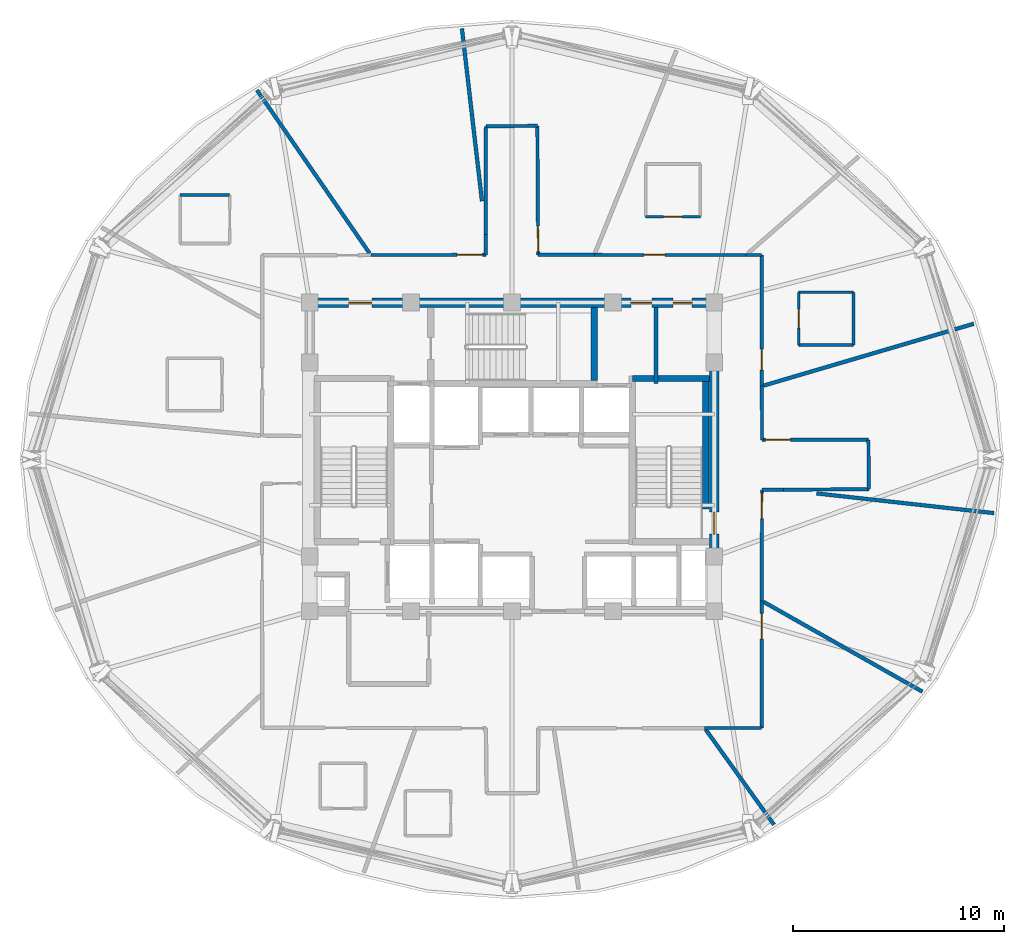
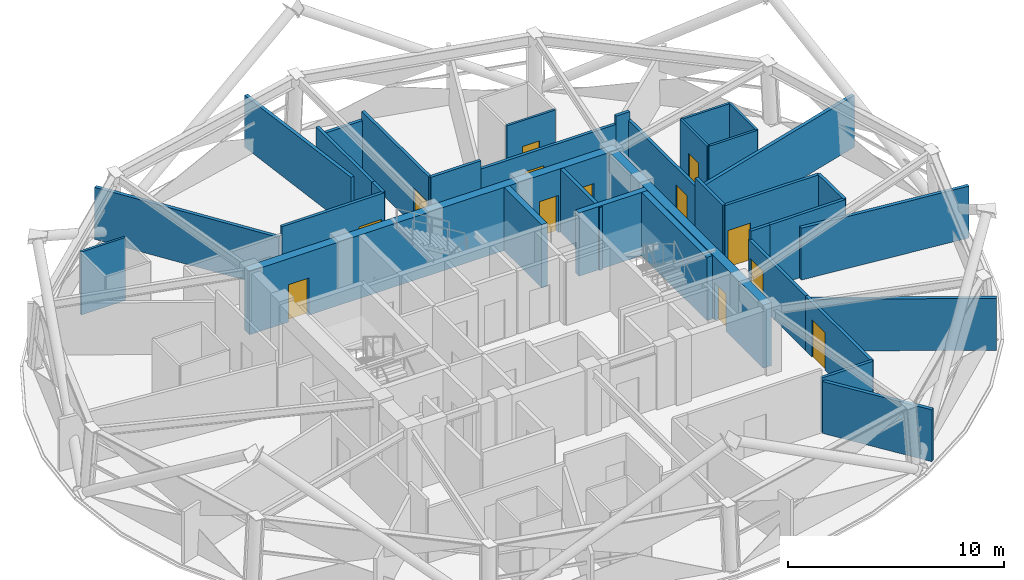
# One storey, part 7 of 12: 35 walls, 13 doors, 13 openings.
"""IFC4 building model written with IfcOpenShell, lengths in metres."""

from ifc_helpers import new_model, si_unit, direction, frame, frame_2d, origin, place, context, subcontext, project, spatial, rectangle, extrude, material, layer, layer_set, type_object, element, fill, save


model = new_model("IFC4")

# Units and contexts
model_context = context("Model", 3, precision=1e-05, world=origin(), true_north=direction((0.0, 1.0)))
body_context = subcontext(model_context, "Body", "Model", "MODEL_VIEW")
ifc_project = project(units=[si_unit("LENGTHUNIT", "METRE"), si_unit("AREAUNIT", "SQUARE_METRE"), si_unit("VOLUMEUNIT", "CUBIC_METRE"), si_unit("PLANEANGLEUNIT", "RADIAN"), si_unit("MASSUNIT", "GRAM", prefix="KILO")], contexts=[model_context])

# Site, building, storey
site_placement = place(None, origin())
site = spatial("IfcSite", under=ifc_project, at=site_placement, CompositionType="ELEMENT")
building_placement = place(site_placement, origin())
building = spatial("IfcBuilding", under=site, at=building_placement, Name="Vantalir Tower", CompositionType="ELEMENT")
storey_placement = place(building_placement, frame((0.0, 0.0, 197.39990234375)))
storey = spatial("IfcBuildingStorey", under=building, at=storey_placement, Name="L49", CompositionType="ELEMENT", Elevation=197.39990234375)

# Walls
ifc_material_1 = material(Name="Moisture-resistant en-suite partition", Category="gypsum")
ifc_layer_1 = layer(ifc_material_1, 0.125)
ifc_layer_set_1 = layer_set([ifc_layer_1], Name="Moisture-resistant en-suite partition")
wall_type_1 = type_object("IfcWallType", Name="WL-BATH-125", PredefinedType="PARTITIONING", material=ifc_layer_set_1)
for number, where, z_axis, x_axis, name in (
    (1, (45.10498046875, 30.43994140625, 0.0), (0.0, 0.0, 1.0), (1.0, 0.0, 0.0), "L49 En-suite 01 South Wall"),
    (2, (45.10498046875, 32.93994140625, 0.0), (0.0, 0.0, 1.0), (1.0, 0.0, 0.0), "L49 En-suite 01 North Wall"),
):
    element("IfcWall", number, at=place(storey_placement, frame(where, z_axis=z_axis, x_axis=x_axis)), inside=storey, type_object=wall_type_1, Name=name, PredefinedType="PARTITIONING", context=body_context, shape_type="SweptSolid", body=[
        extrude(rectangle(XDim=2.60009765625, YDim=0.125, at=frame_2d((1.300048828125, 0.0))), origin(), (0.0, 0.0, 1.0), 3.550048828125),
    ])

# Wall, opening, door
wall_1_placement = place(storey_placement, frame((45.10498046875, 30.43994140625, 0.0), z_axis=(0.0, 0.0, 1.0), x_axis=(0.0, 1.0, 0.0)))
wall_1 = element("IfcWall", 3, at=wall_1_placement, inside=storey, type_object=wall_type_1, Name="L49 En-suite 01 West Wall", PredefinedType="PARTITIONING", context=body_context, shape_type="SweptSolid", body=[
    extrude(rectangle(XDim=2.5, YDim=0.125, at=frame_2d((1.25, 0.0))), origin(), (0.0, 0.0, 1.0), 3.550048828125),
])
opening_1_placement = place(wall_1_placement, frame((0.800048828125, 0.0, 0.0)))
opening_1 = element("IfcOpeningElement", 4, at=opening_1_placement, cuts=wall_1, Name="Opening D-WC", PredefinedType="OPENING", context=body_context, shape_type="SweptSolid", body=[
    extrude(rectangle(XDim=0.89990234375, YDim=2.10009765625, at=frame_2d((0.449951171875, 1.050048828125))), frame((0.0, 0.072509765625, 0.0), z_axis=(0.0, -1.0, 0.0), x_axis=(1.0, 0.0, 0.0)), (0.0, 0.0, 1.0), 0.14501953125),
])
ifc_material_2 = material(Name="Moisture-resistant hardwood door", Category="wood")
door_type_1 = type_object("IfcDoorType", Name="DR-ENSUITE-900", OperationType="NOTDEFINED", PredefinedType="DOOR", material=ifc_material_2)
door_1_placement = place(opening_1_placement, frame((0.89990234375, 0.0, 0.0), z_axis=(0.0, 0.0, 1.0), x_axis=(-1.0, 0.0, 0.0)))
door_1 = element("IfcDoor", 5, at=door_1_placement, inside=storey, type_object=door_type_1, Name="L49 En-suite 01 Door", OperationType="SINGLE_SWING_LEFT", OverallHeight=2.10009765625, OverallWidth=0.89990234375, PredefinedType="DOOR", context=body_context, shape_type="SweptSolid", body=[
    extrude(rectangle(XDim=0.89990234375, YDim=2.10009765625, at=frame_2d((0.449951171875, 1.050048828125))), frame((0.0, 0.02490234375, 0.0), z_axis=(0.0, -1.0, 0.0), x_axis=(1.0, 0.0, 0.0)), (0.0, 0.0, 1.0), 0.050048828125),
])
fill(opening_1, door_1)

# Wall
wall_2_placement = place(storey_placement, frame((47.705078125, 30.43994140625, 0.0), z_axis=(0.0, 0.0, 1.0), x_axis=(0.0, 1.0, 0.0)))
element("IfcWall", 6, at=wall_2_placement, inside=storey, type_object=wall_type_1, Name="L49 En-suite 01 East Wall", PredefinedType="PARTITIONING", context=body_context, shape_type="SweptSolid", body=[
    extrude(rectangle(XDim=2.5, YDim=0.125, at=frame_2d((1.25, 0.0))), origin(), (0.0, 0.0, 1.0), 3.550048828125),
])

# Wall, opening, door
wall_3_placement = place(storey_placement, frame((37.842041015625, 36.528076171875, 0.0), z_axis=(0.0, 0.0, 1.0), x_axis=(1.0, 0.0, 0.0)))
wall_3 = element("IfcWall", 7, at=wall_3_placement, inside=storey, type_object=wall_type_1, Name="L49 En-suite 02 South Wall", PredefinedType="PARTITIONING", context=body_context, shape_type="SweptSolid", body=[
    extrude(rectangle(XDim=2.599853515625, YDim=0.125, at=frame_2d((1.2998046875, 0.0))), origin(), (0.0, 0.0, 1.0), 3.550048828125),
])
opening_2_placement = place(wall_3_placement, frame((0.85009765625, 0.0, 0.0)))
opening_2 = element("IfcOpeningElement", 8, at=opening_2_placement, cuts=wall_3, Name="Opening D-WC", PredefinedType="OPENING", context=body_context, shape_type="SweptSolid", body=[
    extrude(rectangle(XDim=0.89990234375, YDim=2.10009765625, at=frame_2d((0.449951171875, 1.050048828125))), frame((0.0, 0.072509765625, 0.0), z_axis=(0.0, -1.0, 0.0), x_axis=(1.0, 0.0, 0.0)), (0.0, 0.0, 1.0), 0.14501953125),
])
door_2_placement = place(opening_2_placement, origin())
door_2 = element("IfcDoor", 9, at=door_2_placement, inside=storey, type_object=door_type_1, Name="L49 En-suite 02 Door", OperationType="SINGLE_SWING_RIGHT", OverallHeight=2.10009765625, OverallWidth=0.89990234375, PredefinedType="DOOR", context=body_context, shape_type="SweptSolid", body=[
    extrude(rectangle(XDim=0.89990234375, YDim=2.10009765625, at=frame_2d((0.449951171875, 1.050048828125))), frame((0.0, 0.02490234375, 0.0), z_axis=(0.0, -1.0, 0.0), x_axis=(1.0, 0.0, 0.0)), (0.0, 0.0, 1.0), 0.050048828125),
])
fill(opening_2, door_2)

# Wall
wall_4_placement = place(storey_placement, frame((15.7470703125, 37.55810546875, 0.0), z_axis=(0.0, 0.0, 1.0), x_axis=(1.0, 0.0, 0.0)))
element("IfcWall", 10, at=wall_4_placement, inside=storey, type_object=wall_type_1, Name="L49 En-suite 05 North Wall", PredefinedType="PARTITIONING", context=body_context, shape_type="SweptSolid", body=[
    extrude(rectangle(XDim=2.349853515625, YDim=0.125, at=frame_2d((1.1748046875, 0.0))), origin(), (0.0, 0.0, 1.0), 3.550048828125),
])

# Wall, openings, doors
ifc_material_3 = material(Name="Concrete C50/60", Category="concrete")
ifc_layer_2 = layer(ifc_material_3, 0.449951171875)
ifc_layer_set_2 = layer_set([ifc_layer_2], Name="Concrete C50/60")
wall_type_2 = type_object("IfcWallType", Name="WL-CORE-450", PredefinedType="SHEAR", material=ifc_layer_set_2)
wall_5_placement = place(storey_placement, frame((21.675048828125, 32.449951171875, 0.0), z_axis=(0.0, 0.0, 1.0), x_axis=(1.0, 0.0, 0.0)))
wall_5 = element("IfcWall", 11, at=wall_5_placement, inside=storey, type_object=wall_type_2, Name="L49 Core Shear Wall North", PredefinedType="SHEAR", context=body_context, shape_type="SweptSolid", body=[
    extrude(rectangle(XDim=19.64990234375, YDim=0.449951171875, at=frame_2d((9.824951171875, 0.0))), origin(), (0.0, 0.0, 1.0), 3.570068359375),
])
opening_3_placement = place(wall_5_placement, frame((2.074951171875, 0.0, 0.0)))
opening_3 = element("IfcOpeningElement", 12, at=opening_3_placement, cuts=wall_5, Name="Opening D-FFL", PredefinedType="OPENING", context=body_context, shape_type="SweptSolid", body=[
    extrude(rectangle(XDim=1.10009765625, YDim=2.10009765625, at=frame_2d((0.550048828125, 1.050048828125))), frame((0.0, 0.23486328125, 0.0), z_axis=(0.0, -1.0, 0.0), x_axis=(1.0, 0.0, 0.0)), (0.0, 0.0, 1.0), 0.469970703125),
])
opening_4_placement = place(wall_5_placement, frame((15.465087890625, 0.0, 0.0)))
opening_4 = element("IfcOpeningElement", 13, at=opening_4_placement, cuts=wall_5, Name="Opening D-GUEST", PredefinedType="OPENING", context=body_context, shape_type="SweptSolid", body=[
    extrude(rectangle(XDim=1.0, YDim=2.10009765625, at=frame_2d((0.5, 1.050048828125))), frame((0.0, 0.23486328125, 0.0), z_axis=(0.0, -1.0, 0.0), x_axis=(1.0, 0.0, 0.0)), (0.0, 0.0, 1.0), 0.469970703125),
])
opening_5_placement = place(wall_5_placement, frame((17.47509765625, 0.0, 0.0)))
opening_5 = element("IfcOpeningElement", 14, at=opening_5_placement, cuts=wall_5, Name="Opening D-CR", PredefinedType="OPENING", context=body_context, shape_type="SweptSolid", body=[
    extrude(rectangle(XDim=0.89990234375, YDim=2.10009765625, at=frame_2d((0.449951171875, 1.050048828125))), frame((0.0, 0.23486328125, 0.0), z_axis=(0.0, -1.0, 0.0), x_axis=(1.0, 0.0, 0.0)), (0.0, 0.0, 1.0), 0.469970703125),
])
ifc_material_4 = material(Name="Fire-rated steel core service door", Category="steel")
door_type_2 = type_object("IfcDoorType", Name="DR-CORE-SERV-900", OperationType="NOTDEFINED", PredefinedType="DOOR", material=ifc_material_4)
door_3_placement = place(opening_5_placement, frame((0.89990234375, 0.0, 0.0), z_axis=(0.0, 0.0, 1.0), x_axis=(-1.0, 0.0, 0.0)))
door_3 = element("IfcDoor", 15, at=door_3_placement, inside=storey, type_object=door_type_2, Name="L49 Housekeeping and Linen Room Door", OperationType="SINGLE_SWING_RIGHT", OverallHeight=2.10009765625, OverallWidth=0.89990234375, PredefinedType="DOOR", context=body_context, shape_type="SweptSolid", body=[
    extrude(rectangle(XDim=0.89990234375, YDim=2.10009765625, at=frame_2d((0.449951171875, 1.050048828125))), frame((0.0, 0.02490234375, 0.0), z_axis=(0.0, -1.0, 0.0), x_axis=(1.0, 0.0, 0.0)), (0.0, 0.0, 1.0), 0.050048828125),
])
fill(opening_5, door_3)
ifc_material_5 = material(Name="Fire-rated acoustic steel door", Category="steel")
door_type_3 = type_object("IfcDoorType", Name="DR-FIRE-LOBBY-1100", OperationType="NOTDEFINED", PredefinedType="DOOR", material=ifc_material_5)
door_4_placement = place(opening_3_placement, frame((1.10009765625, 0.0, 0.0), z_axis=(0.0, 0.0, 1.0), x_axis=(-1.0, 0.0, 0.0)))
door_4 = element("IfcDoor", 16, at=door_4_placement, inside=storey, type_object=door_type_3, Name="L49 Firefighting Lobby East Access Door", OperationType="SINGLE_SWING_LEFT", OverallHeight=2.10009765625, OverallWidth=1.10009765625, PredefinedType="DOOR", context=body_context, shape_type="SweptSolid", body=[
    extrude(rectangle(XDim=1.10009765625, YDim=2.10009765625, at=frame_2d((0.550048828125, 1.050048828125))), frame((0.0, 0.02490234375, 0.0), z_axis=(0.0, -1.0, 0.0), x_axis=(1.0, 0.0, 0.0)), (0.0, 0.0, 1.0), 0.050048828125),
])
fill(opening_3, door_4)
ifc_material_6 = material(Name="Solid-core teak veneer acoustic fire door", Category="wood")
door_type_4 = type_object("IfcDoorType", Name="DR-GUEST-ENTRY-1000", OperationType="NOTDEFINED", PredefinedType="DOOR", material=ifc_material_6)
door_5_placement = place(opening_4_placement, frame((1.0, 0.0, 0.0), z_axis=(0.0, 0.0, 1.0), x_axis=(-1.0, 0.0, 0.0)))
door_5 = element("IfcDoor", 17, at=door_5_placement, inside=storey, type_object=door_type_4, Name="L49 High-Rise Lift Lobby Door", OperationType="SINGLE_SWING_LEFT", OverallHeight=2.10009765625, OverallWidth=1.0, PredefinedType="DOOR", context=body_context, shape_type="SweptSolid", body=[
    extrude(rectangle(XDim=1.0, YDim=2.10009765625, at=frame_2d((0.5, 1.050048828125))), frame((0.0, 0.02490234375, 0.0), z_axis=(0.0, -1.0, 0.0), x_axis=(1.0, 0.0, 0.0)), (0.0, 0.0, 1.0), 0.050048828125),
])
fill(opening_4, door_5)

# Wall, opening, door
wall_6_placement = place(storey_placement, frame((41.10009765625, 18.02490234375, 0.0), z_axis=(0.0, 0.0, 1.0), x_axis=(0.0, 1.0, 0.0)))
wall_6 = element("IfcWall", 18, at=wall_6_placement, inside=storey, type_object=wall_type_2, Name="L49 Core Shear Wall East", PredefinedType="SHEAR", context=body_context, shape_type="SweptSolid", body=[
    extrude(rectangle(XDim=14.2001953125, YDim=0.449951171875, at=frame_2d((7.10009765625, 0.0))), origin(), (0.0, 0.0, 1.0), 3.570068359375),
])
opening_6_placement = place(wall_6_placement, frame((3.43505859375, 0.0, 0.0)))
opening_6 = element("IfcOpeningElement", 19, at=opening_6_placement, cuts=wall_6, Name="Opening D-ST", PredefinedType="OPENING", context=body_context, shape_type="SweptSolid", body=[
    extrude(rectangle(XDim=1.050048828125, YDim=2.10009765625, at=frame_2d((0.52490234375, 1.050048828125))), frame((0.0, 0.23486328125, 0.0), z_axis=(0.0, -1.0, 0.0), x_axis=(1.0, 0.0, 0.0)), (0.0, 0.0, 1.0), 0.469970703125),
])
ifc_material_7 = material(Name="Fire-rated steel door leaf", Category="steel")
door_type_5 = type_object("IfcDoorType", Name="DR-FIRE-STAIR-1050", OperationType="NOTDEFINED", PredefinedType="DOOR", material=ifc_material_7)
door_6_placement = place(opening_6_placement, origin())
door_6 = element("IfcDoor", 20, at=door_6_placement, inside=storey, type_object=door_type_5, Name="L49 Exit Stair ST2 Fire Door", OperationType="SINGLE_SWING_LEFT", OverallHeight=2.10009765625, OverallWidth=1.050048828125, PredefinedType="DOOR", context=body_context, shape_type="SweptSolid", body=[
    extrude(rectangle(XDim=1.050048828125, YDim=2.10009765625, at=frame_2d((0.52490234375, 1.050048828125))), frame((0.0, 0.02490234375, 0.0), z_axis=(0.0, -1.0, 0.0), x_axis=(1.0, 0.0, 0.0)), (0.0, 0.0, 1.0), 0.050048828125),
])
fill(opening_6, door_6)

ifc_material_8 = material(Name="Fire-rated hotel corridor acoustic partition", Category="gypsum")
ifc_layer_3 = layer(ifc_material_8, 0.159912109375)
ifc_layer_set_3 = layer_set([ifc_layer_3], Name="Fire-rated hotel corridor acoustic partition")
wall_type_3 = type_object("IfcWallType", Name="WL-CORR-160", PredefinedType="PARTITIONING", material=ifc_layer_set_3)
wall_7_placement = place(storey_placement, frame((24.798095703125, 34.70703125, 0.0), z_axis=(0.0, 0.0, 1.0), x_axis=(0.999998912104, 0.001475056504, 0.0)))
wall_7 = element("IfcWall", 21, at=wall_7_placement, inside=storey, type_object=wall_type_3, Name="L49 Corridor Partition 05", PredefinedType="PARTITIONING", context=body_context, shape_type="SweptSolid", body=[
    extrude(rectangle(XDim=5.4619140625, YDim=0.159912109375, at=frame_2d((2.73095703125, 0.0))), origin(), (0.0, 0.0, 1.0), 3.550048828125),
])
opening_7_placement = place(wall_7_placement, frame((4.10205078125, 0.0, 0.0)))
opening_7 = element("IfcOpeningElement", 22, at=opening_7_placement, cuts=wall_7, Name="Opening D-STE", PredefinedType="OPENING", context=body_context, shape_type="SweptSolid", body=[
    extrude(rectangle(XDim=1.199951171875, YDim=2.10009765625, at=frame_2d((0.60009765625, 1.050048828125))), frame((0.0, 0.08984375, 0.0), z_axis=(0.0, -1.0, 0.0), x_axis=(1.0, 0.0, 0.0)), (0.0, 0.0, 1.0), 0.179931640625),
])
ifc_material_9 = material(Name="Solid-core teak veneer suite entrance door", Category="wood")
door_type_6 = type_object("IfcDoorType", Name="DR-SUITE-ENTRY-1200", OperationType="NOTDEFINED", PredefinedType="DOOR", material=ifc_material_9)
door_7_placement = place(opening_7_placement, origin())
door_7 = element("IfcDoor", 23, at=door_7_placement, inside=storey, type_object=door_type_6, Name="L49 Executive Sky Boardroom 04 Door", OperationType="SINGLE_SWING_LEFT", OverallHeight=2.10009765625, OverallWidth=1.199951171875, PredefinedType="DOOR", context=body_context, shape_type="SweptSolid", body=[
    extrude(rectangle(XDim=1.199951171875, YDim=2.10009765625, at=frame_2d((0.60009765625, 1.050048828125))), frame((0.0, 0.02490234375, 0.0), z_axis=(0.0, -1.0, 0.0), x_axis=(1.0, 0.0, 0.0)), (0.0, 0.0, 1.0), 0.050048828125),
])
fill(opening_7, door_7)

# Walls
wall_8_placement = place(storey_placement, frame((30.260009765625, 34.715087890625, 0.0), z_axis=(0.0, 0.0, 1.0), x_axis=(0.0, 1.0, 0.0)))
element("IfcWall", 24, at=wall_8_placement, inside=storey, type_object=wall_type_3, Name="L49 Corridor Partition 06", PredefinedType="PARTITIONING", context=body_context, shape_type="SweptSolid", body=[
    extrude(rectangle(XDim=0.9609375, YDim=0.159912109375, at=frame_2d((0.48046875, 0.0))), origin(), (0.0, 0.0, 1.0), 3.550048828125),
])
wall_9_placement = place(storey_placement, frame((30.260009765625, 35.676025390625, 0.0), z_axis=(0.0, 0.0, 1.0), x_axis=(0.000570098249, 0.999999837494, 0.0)))
element("IfcWall", 25, at=wall_9_placement, inside=storey, type_object=wall_type_3, Name="L49 Corridor Partition 07", PredefinedType="PARTITIONING", context=body_context, shape_type="SweptSolid", body=[
    extrude(rectangle(XDim=5.138916015625, YDim=0.159912109375, at=frame_2d((2.5693359375, 0.0))), origin(), (0.0, 0.0, 1.0), 3.550048828125),
])
wall_10_placement = place(storey_placement, frame((30.262939453125, 40.81494140625, 0.0), z_axis=(0.0, 0.0, 1.0), x_axis=(0.999946948611, 0.010300483619, 0.0)))
element("IfcWall", 26, at=wall_10_placement, inside=storey, type_object=wall_type_3, Name="L49 Corridor Partition 08", PredefinedType="PARTITIONING", context=body_context, shape_type="SweptSolid", body=[
    extrude(rectangle(XDim=2.44140625, YDim=0.159912109375, at=frame_2d((1.220703125, 0.0))), origin(), (0.0, 0.0, 1.0), 3.0810546875),
])

# Wall, opening, door
wall_11_placement = place(storey_placement, frame((32.7041015625, 40.840087890625, 0.0), z_axis=(0.0, 0.0, 1.0), x_axis=(0.00585927442, -0.999982834304, 0.0)))
wall_11 = element("IfcWall", 27, at=wall_11_placement, inside=storey, type_object=wall_type_3, Name="L49 Corridor Partition 09", PredefinedType="PARTITIONING", context=body_context, shape_type="SweptSolid", body=[
    extrude(rectangle(XDim=6.125, YDim=0.159912109375, at=frame_2d((3.0625, 0.0))), origin(), (0.0, 0.0, 1.0), 3.550048828125),
])
opening_8_placement = place(wall_11_placement, frame((4.764892578125, 0.0, 0.0)))
opening_8 = element("IfcOpeningElement", 28, at=opening_8_placement, cuts=wall_11, Name="Opening D-STE", PredefinedType="OPENING", context=body_context, shape_type="SweptSolid", body=[
    extrude(rectangle(XDim=1.199951171875, YDim=2.10009765625, at=frame_2d((0.60009765625, 1.050048828125))), frame((0.0, 0.08984375, 0.0), z_axis=(0.0, -1.0, 0.0), x_axis=(1.0, 0.0, 0.0)), (0.0, 0.0, 1.0), 0.179931640625),
])
door_8_placement = place(opening_8_placement, origin())
door_8 = element("IfcDoor", 29, at=door_8_placement, inside=storey, type_object=door_type_6, Name="L49 Club Reading Lounge 03 Door", OperationType="SINGLE_SWING_RIGHT", OverallHeight=2.10009765625, OverallWidth=1.199951171875, PredefinedType="DOOR", context=body_context, shape_type="SweptSolid", body=[
    extrude(rectangle(XDim=1.199951171875, YDim=2.10009765625, at=frame_2d((0.60009765625, 1.050048828125))), frame((0.0, 0.02490234375, 0.0), z_axis=(0.0, -1.0, 0.0), x_axis=(1.0, 0.0, 0.0)), (0.0, 0.0, 1.0), 0.050048828125),
])
fill(opening_8, door_8)

# Wall
wall_12_placement = place(storey_placement, frame((32.739990234375, 34.715087890625, 0.0), z_axis=(0.0, 0.0, 1.0), x_axis=(0.999999660367, -0.000824175544, 0.0)))
element("IfcWall", 30, at=wall_12_placement, inside=storey, type_object=wall_type_3, Name="L49 Corridor Partition 10", PredefinedType="PARTITIONING", context=body_context, shape_type="SweptSolid", body=[
    extrude(rectangle(XDim=2.666015625, YDim=0.159912109375, at=frame_2d((1.3330078125, 0.0))), origin(), (0.0, 0.0, 1.0), 3.550048828125),
])

# Wall, opening, door
wall_13_placement = place(storey_placement, frame((35.406005859375, 34.712890625, 0.0), z_axis=(0.0, 0.0, 1.0), x_axis=(0.999999852866, -0.000542464745, 0.0)))
wall_13 = element("IfcWall", 31, at=wall_13_placement, inside=storey, type_object=wall_type_3, Name="L49 Corridor Partition 11", PredefinedType="PARTITIONING", context=body_context, shape_type="SweptSolid", body=[
    extrude(rectangle(XDim=7.200927734375, YDim=0.159912109375, at=frame_2d((3.6005859375, 0.0))), origin(), (0.0, 0.0, 1.0), 3.0810546875),
])
opening_9_placement = place(wall_13_placement, frame((2.364990234375, 0.0, 0.0)))
opening_9 = element("IfcOpeningElement", 32, at=opening_9_placement, cuts=wall_13, Name="Opening D-GUEST", PredefinedType="OPENING", context=body_context, shape_type="SweptSolid", body=[
    extrude(rectangle(XDim=1.0, YDim=2.10009765625, at=frame_2d((0.5, 1.050048828125))), frame((0.0, 0.08984375, 0.0), z_axis=(0.0, -1.0, 0.0), x_axis=(1.0, 0.0, 0.0)), (0.0, 0.0, 1.0), 0.179931640625),
])
door_9_placement = place(opening_9_placement, origin())
door_9 = element("IfcDoor", 33, at=door_9_placement, inside=storey, type_object=door_type_4, Name="L49 Deluxe King Hotel Room 02 Door", OperationType="SINGLE_SWING_LEFT", OverallHeight=2.10009765625, OverallWidth=1.0, PredefinedType="DOOR", context=body_context, shape_type="SweptSolid", body=[
    extrude(rectangle(XDim=1.0, YDim=2.10009765625, at=frame_2d((0.5, 1.050048828125))), frame((0.0, 0.02490234375, 0.0), z_axis=(0.0, -1.0, 0.0), x_axis=(1.0, 0.0, 0.0)), (0.0, 0.0, 1.0), 0.050048828125),
])
fill(opening_9, door_9)

# Wall
wall_14_placement = place(storey_placement, frame((42.60693359375, 34.708984375, 0.0), z_axis=(0.0, 0.0, 1.0), x_axis=(0.999999129202, -0.001319695321, 0.0)))
element("IfcWall", 34, at=wall_14_placement, inside=storey, type_object=wall_type_3, Name="L49 Corridor Partition 12", PredefinedType="PARTITIONING", context=body_context, shape_type="SweptSolid", body=[
    extrude(rectangle(XDim=0.739990234375, YDim=0.159912109375, at=frame_2d((0.3701171875, 0.0))), origin(), (0.0, 0.0, 1.0), 3.550048828125),
])

# Wall, opening, door
wall_15_placement = place(storey_placement, frame((43.346923828125, 34.7080078125, 0.0), z_axis=(0.0, 0.0, 1.0), x_axis=(0.002119554057, -0.999997753743, 0.0)))
wall_15 = element("IfcWall", 35, at=wall_15_placement, inside=storey, type_object=wall_type_3, Name="L49 Corridor Partition 13", PredefinedType="PARTITIONING", context=body_context, shape_type="SweptSolid", body=[
    extrude(rectangle(XDim=6.219970703125, YDim=0.159912109375, at=frame_2d((3.10986328125, 0.0))), origin(), (0.0, 0.0, 1.0), 3.0810546875),
])
opening_10_placement = place(wall_15_placement, frame((4.466064453125, 0.0, 0.0)))
opening_10 = element("IfcOpeningElement", 36, at=opening_10_placement, cuts=wall_15, Name="Opening D-GUEST", PredefinedType="OPENING", context=body_context, shape_type="SweptSolid", body=[
    extrude(rectangle(XDim=1.0, YDim=2.10009765625, at=frame_2d((0.5, 1.050048828125))), frame((0.0, 0.08984375, 0.0), z_axis=(0.0, -1.0, 0.0), x_axis=(1.0, 0.0, 0.0)), (0.0, 0.0, 1.0), 0.179931640625),
])
door_10_placement = place(opening_10_placement, origin())
door_10 = element("IfcDoor", 37, at=door_10_placement, inside=storey, type_object=door_type_4, Name="L49 Twin Queen Hotel Room 01 Door", OperationType="SINGLE_SWING_RIGHT", OverallHeight=2.10009765625, OverallWidth=1.0, PredefinedType="DOOR", context=body_context, shape_type="SweptSolid", body=[
    extrude(rectangle(XDim=1.0, YDim=2.10009765625, at=frame_2d((0.5, 1.050048828125))), frame((0.0, 0.02490234375, 0.0), z_axis=(0.0, -1.0, 0.0), x_axis=(1.0, 0.0, 0.0)), (0.0, 0.0, 1.0), 0.050048828125),
])
fill(opening_10, door_10)

# Wall
wall_16_placement = place(storey_placement, frame((43.360107421875, 28.488037109375, 0.0), z_axis=(0.0, 0.0, 1.0), x_axis=(0.001916255943, -0.99999816398, 0.0)))
element("IfcWall", 38, at=wall_16_placement, inside=storey, type_object=wall_type_3, Name="L49 Corridor Partition 14", PredefinedType="PARTITIONING", context=body_context, shape_type="SweptSolid", body=[
    extrude(rectangle(XDim=2.548095703125, YDim=0.159912109375, at=frame_2d((1.27392578125, 0.0))), origin(), (0.0, 0.0, 1.0), 3.550048828125),
])

# Wall, opening, door
wall_17_placement = place(storey_placement, frame((43.364990234375, 25.93994140625, 0.0), z_axis=(0.0, 0.0, 1.0), x_axis=(0.999999831724, -0.000580130432, 0.0)))
wall_17 = element("IfcWall", 39, at=wall_17_placement, inside=storey, type_object=wall_type_3, Name="L49 Corridor Partition 15", PredefinedType="PARTITIONING", context=body_context, shape_type="SweptSolid", body=[
    extrude(rectangle(XDim=5.050048828125, YDim=0.159912109375, at=frame_2d((2.52490234375, 0.0))), origin(), (0.0, 0.0, 1.0), 3.550048828125),
])
opening_11_placement = place(wall_17_placement, frame((0.159912109375, 0.0, 0.0)))
opening_11 = element("IfcOpeningElement", 40, at=opening_11_placement, cuts=wall_17, Name="Opening D-STE", PredefinedType="OPENING", context=body_context, shape_type="SweptSolid", body=[
    extrude(rectangle(XDim=1.199951171875, YDim=2.10009765625, at=frame_2d((0.60009765625, 1.050048828125))), frame((0.0, 0.08984375, 0.0), z_axis=(0.0, -1.0, 0.0), x_axis=(1.0, 0.0, 0.0)), (0.0, 0.0, 1.0), 0.179931640625),
])
door_11_placement = place(opening_11_placement, origin())
door_11 = element("IfcDoor", 41, at=door_11_placement, inside=storey, type_object=door_type_6, Name="L49 Executive Sky Boardroom 14 Door", OperationType="SINGLE_SWING_LEFT", OverallHeight=2.10009765625, OverallWidth=1.199951171875, PredefinedType="DOOR", context=body_context, shape_type="SweptSolid", body=[
    extrude(rectangle(XDim=1.199951171875, YDim=2.10009765625, at=frame_2d((0.60009765625, 1.050048828125))), frame((0.0, 0.02490234375, 0.0), z_axis=(0.0, -1.0, 0.0), x_axis=(1.0, 0.0, 0.0)), (0.0, 0.0, 1.0), 0.050048828125),
])
fill(opening_11, door_11)

# Walls
wall_18_placement = place(storey_placement, frame((48.4150390625, 25.93701171875, 0.0), z_axis=(0.0, 0.0, 1.0), x_axis=(0.010636586698, -0.999943429912, 0.0)))
element("IfcWall", 42, at=wall_18_placement, inside=storey, type_object=wall_type_3, Name="L49 Corridor Partition 16", PredefinedType="PARTITIONING", context=body_context, shape_type="SweptSolid", body=[
    extrude(rectangle(XDim=2.34130859375, YDim=0.159912109375, at=frame_2d((1.170654296875, 0.0))), origin(), (0.0, 0.0, 1.0), 3.550048828125),
])
wall_19_placement = place(storey_placement, frame((48.43994140625, 23.595947265625, 0.0), z_axis=(0.0, 0.0, 1.0), x_axis=(-0.999974256442, -0.007175406206, 0.0)))
element("IfcWall", 43, at=wall_19_placement, inside=storey, type_object=wall_type_3, Name="L49 Corridor Partition 17", PredefinedType="PARTITIONING", context=body_context, shape_type="SweptSolid", body=[
    extrude(rectangle(XDim=4.048828125, YDim=0.159912109375, at=frame_2d((2.0244140625, 0.0))), origin(), (0.0, 0.0, 1.0), 3.550048828125),
])
wall_20_placement = place(storey_placement, frame((44.39111328125, 23.56689453125, 0.0), z_axis=(0.0, 0.0, 1.0), x_axis=(-0.999977810228, -0.006661760335, 0.0)))
element("IfcWall", 44, at=wall_20_placement, inside=storey, type_object=wall_type_3, Name="L49 Corridor Partition 18", PredefinedType="PARTITIONING", context=body_context, shape_type="SweptSolid", body=[
    extrude(rectangle(XDim=1.026123046875, YDim=0.159912109375, at=frame_2d((0.51318359375, 0.0))), origin(), (0.0, 0.0, 1.0), 3.550048828125),
])

# Wall, opening, door
wall_21_placement = place(storey_placement, frame((43.364990234375, 23.56005859375, 0.0), z_axis=(0.0, 0.0, 1.0), x_axis=(-0.001344209409, -0.99999909655, 0.0)))
wall_21 = element("IfcWall", 45, at=wall_21_placement, inside=storey, type_object=wall_type_3, Name="L49 Corridor Partition 19", PredefinedType="PARTITIONING", context=body_context, shape_type="SweptSolid", body=[
    extrude(rectangle(XDim=5.26708984375, YDim=0.159912109375, at=frame_2d((2.633544921875, 0.0))), origin(), (0.0, 0.0, 1.0), 3.0810546875),
])
opening_12_placement = place(wall_21_placement, frame((0.159912109375, 0.0, 0.0)))
opening_12 = element("IfcOpeningElement", 46, at=opening_12_placement, cuts=wall_21, Name="Opening D-STE", PredefinedType="OPENING", context=body_context, shape_type="SweptSolid", body=[
    extrude(rectangle(XDim=1.199951171875, YDim=2.10009765625, at=frame_2d((0.60009765625, 1.050048828125))), frame((0.0, 0.08984375, 0.0), z_axis=(0.0, -1.0, 0.0), x_axis=(1.0, 0.0, 0.0)), (0.0, 0.0, 1.0), 0.179931640625),
])
door_12_placement = place(opening_12_placement, origin())
door_12 = element("IfcDoor", 47, at=door_12_placement, inside=storey, type_object=door_type_6, Name="L49 Club Reading Lounge 13 Door", OperationType="SINGLE_SWING_RIGHT", OverallHeight=2.10009765625, OverallWidth=1.199951171875, PredefinedType="DOOR", context=body_context, shape_type="SweptSolid", body=[
    extrude(rectangle(XDim=1.199951171875, YDim=2.10009765625, at=frame_2d((0.60009765625, 1.050048828125))), frame((0.0, 0.02490234375, 0.0), z_axis=(0.0, -1.0, 0.0), x_axis=(1.0, 0.0, 0.0)), (0.0, 0.0, 1.0), 0.050048828125),
])
fill(opening_12, door_12)

wall_22_placement = place(storey_placement, frame((43.35791015625, 18.29296875, 0.0), z_axis=(0.0, 0.0, 1.0), x_axis=(-0.001294759182, -0.999999161799, 0.0)))
wall_22 = element("IfcWall", 48, at=wall_22_placement, inside=storey, type_object=wall_type_3, Name="L49 Corridor Partition 20", PredefinedType="PARTITIONING", context=body_context, shape_type="SweptSolid", body=[
    extrude(rectangle(XDim=6.033935546875, YDim=0.159912109375, at=frame_2d((3.01708984375, 0.0))), origin(), (0.0, 0.0, 1.0), 3.0810546875),
])
opening_13_placement = place(wall_22_placement, frame((0.596923828125, 0.0, 0.0)))
opening_13 = element("IfcOpeningElement", 49, at=opening_13_placement, cuts=wall_22, Name="Opening D-STE", PredefinedType="OPENING", context=body_context, shape_type="SweptSolid", body=[
    extrude(rectangle(XDim=1.199951171875, YDim=2.10009765625, at=frame_2d((0.60009765625, 1.050048828125))), frame((0.0, 0.08984375, 0.0), z_axis=(0.0, -1.0, 0.0), x_axis=(1.0, 0.0, 0.0)), (0.0, 0.0, 1.0), 0.179931640625),
])
door_13_placement = place(opening_13_placement, origin())
door_13 = element("IfcDoor", 50, at=door_13_placement, inside=storey, type_object=door_type_6, Name="L49 Executive Sky Boardroom 12 Door", OperationType="SINGLE_SWING_LEFT", OverallHeight=2.10009765625, OverallWidth=1.199951171875, PredefinedType="DOOR", context=body_context, shape_type="SweptSolid", body=[
    extrude(rectangle(XDim=1.199951171875, YDim=2.10009765625, at=frame_2d((0.60009765625, 1.050048828125))), frame((0.0, 0.02490234375, 0.0), z_axis=(0.0, -1.0, 0.0), x_axis=(1.0, 0.0, 0.0)), (0.0, 0.0, 1.0), 0.050048828125),
])
fill(opening_13, door_13)

# Walls
wall_23_placement = place(storey_placement, frame((43.35009765625, 12.259033203125, 0.0), z_axis=(0.0, 0.0, 1.0), x_axis=(-0.999999739718, -0.000721500534, 0.0)))
element("IfcWall", 51, at=wall_23_placement, inside=storey, type_object=wall_type_3, Name="L49 Corridor Partition 21", PredefinedType="PARTITIONING", context=body_context, shape_type="SweptSolid", body=[
    extrude(rectangle(XDim=2.70703125, YDim=0.159912109375, at=frame_2d((1.353515625, 0.0))), origin(), (0.0, 0.0, 1.0), 3.0810546875),
])
ifc_material_10 = material(Name="Twin-stud acoustic fire-rated gypsum partition", Category="gypsum")
ifc_layer_4 = layer(ifc_material_10, 0.179931640625)
ifc_layer_set_4 = layer_set([ifc_layer_4], Name="Twin-stud acoustic fire-rated gypsum partition")
wall_type_4 = type_object("IfcWallType", Name="WL-GUEST-180", PredefinedType="PARTITIONING", material=ifc_layer_set_4)
wall_24_placement = place(storey_placement, frame((38.340087890625, 28.6201171875, 0.0), z_axis=(0.0, 0.0, 1.0), x_axis=(0.0, 1.0, 0.0)))
element("IfcWall", 52, at=wall_24_placement, inside=storey, type_object=wall_type_4, Name="L49 High-Rise Lift Lobby East Wall", PredefinedType="PARTITIONING", context=body_context, shape_type="SweptSolid", body=[
    extrude(rectangle(XDim=3.60498046875, YDim=0.179931640625, at=frame_2d((1.802490234375, 0.0))), origin(), (0.0, 0.0, 1.0), 3.550048828125),
])
wall_25_placement = place(storey_placement, frame((43.43994140625, 28.510986328125, 0.0), z_axis=(0.0, 0.0, 1.0), x_axis=(0.959359519105, 0.282186663581, 0.0)))
element("IfcWall", 53, at=wall_25_placement, inside=storey, type_object=wall_type_4, Name="L49 Radial Suite Partition 01", PredefinedType="PARTITIONING", context=body_context, shape_type="SweptSolid", body=[
    extrude(rectangle(XDim=10.397705078125, YDim=0.179931640625, at=frame_2d((5.19873046875, 0.0))), origin(), (0.0, 0.0, 1.0), 2.925048828125),
])
wall_26_placement = place(storey_placement, frame((30.075927734375, 37.264892578125, 0.0), z_axis=(0.0, 0.0, 1.0), x_axis=(-0.115375116719, 0.993321993335, 0.0)))
element("IfcWall", 54, at=wall_26_placement, inside=storey, type_object=wall_type_4, Name="L49 Radial Suite Partition 04", PredefinedType="PARTITIONING", context=body_context, shape_type="SweptSolid", body=[
    extrude(rectangle(XDim=8.241943359375, YDim=0.179931640625, at=frame_2d((4.12109375, 0.0))), origin(), (0.0, 0.0, 1.0), 2.925048828125),
])
wall_27_placement = place(storey_placement, frame((24.740966796875, 34.7900390625, 0.0), z_axis=(0.0, 0.0, 1.0), x_axis=(-0.568116674555, 0.822948020286, 0.0)))
element("IfcWall", 55, at=wall_27_placement, inside=storey, type_object=wall_type_4, Name="L49 Radial Suite Partition 05", PredefinedType="PARTITIONING", context=body_context, shape_type="SweptSolid", body=[
    extrude(rectangle(XDim=9.409912109375, YDim=0.179931640625, at=frame_2d((4.705078125, 0.0))), origin(), (0.0, 0.0, 1.0), 2.925048828125),
])
wall_28_placement = place(storey_placement, frame((40.701904296875, 12.175048828125, 0.0), z_axis=(0.0, 0.0, 1.0), x_axis=(0.582903450573, -0.812541424981, 0.0)))
element("IfcWall", 56, at=wall_28_placement, inside=storey, type_object=wall_type_4, Name="L49 Radial Suite Partition 12", PredefinedType="PARTITIONING", context=body_context, shape_type="SweptSolid", body=[
    extrude(rectangle(XDim=5.543212890625, YDim=0.179931640625, at=frame_2d((2.771484375, 0.0))), origin(), (0.0, 0.0, 1.0), 2.925048828125),
])
wall_29_placement = place(storey_placement, frame((43.43994140625, 18.2470703125, 0.0), z_axis=(0.0, 0.0, 1.0), x_axis=(0.870416857611, -0.492315441549, 0.0)))
element("IfcWall", 57, at=wall_29_placement, inside=storey, type_object=wall_type_4, Name="L49 Radial Suite Partition 13", PredefinedType="PARTITIONING", context=body_context, shape_type="SweptSolid", body=[
    extrude(rectangle(XDim=8.661376953125, YDim=0.179931640625, at=frame_2d((4.33056640625, 0.0))), origin(), (0.0, 0.0, 1.0), 2.925048828125),
])
wall_30_placement = place(storey_placement, frame((45.9580078125, 23.39306640625, 0.0), z_axis=(0.0, 0.0, 1.0), x_axis=(0.993887249418, -0.110399888784, 0.0)))
element("IfcWall", 58, at=wall_30_placement, inside=storey, type_object=wall_type_4, Name="L49 Radial Suite Partition 14", PredefinedType="PARTITIONING", context=body_context, shape_type="SweptSolid", body=[
    extrude(rectangle(XDim=8.4697265625, YDim=0.179931640625, at=frame_2d((4.23486328125, 0.0))), origin(), (0.0, 0.0, 1.0), 2.925048828125),
])
ifc_layer_5 = layer(ifc_material_3, 0.300048828125)
ifc_layer_set_5 = layer_set([ifc_layer_5], Name="Concrete C50/60")
wall_type_5 = type_object("IfcWallType", Name="WL-STAIR-300", PredefinedType="SHEAR", material=ifc_layer_set_5)
wall_31_placement = place(storey_placement, frame((37.2099609375, 28.85009765625, 0.0), z_axis=(0.0, 0.0, 1.0), x_axis=(1.0, 0.0, 0.0)))
element("IfcWall", 59, at=wall_31_placement, inside=storey, type_object=wall_type_5, Name="L49 Stair ST2 North Wall", PredefinedType="SHEAR", context=body_context, shape_type="SweptSolid", body=[
    extrude(rectangle(XDim=3.6650390625, YDim=0.300048828125, at=frame_2d((1.83251953125, 0.0))), origin(), (0.0, 0.0, 1.0), 3.570068359375),
])
wall_32_placement = place(storey_placement, frame((40.68994140625, 22.64990234375, 0.0), z_axis=(0.0, 0.0, 1.0), x_axis=(0.0, 1.0, 0.0)))
element("IfcWall", 60, at=wall_32_placement, inside=storey, type_object=wall_type_5, Name="L49 Stair ST2 East Liner Wall", PredefinedType="SHEAR", context=body_context, shape_type="SweptSolid", body=[
    extrude(rectangle(XDim=6.2001953125, YDim=0.300048828125, at=frame_2d((3.10009765625, 0.0))), origin(), (0.0, 0.0, 1.0), 3.570068359375),
])
wall_33_placement = place(storey_placement, frame((35.39990234375, 28.75, 0.0), z_axis=(0.0, 0.0, 1.0), x_axis=(0.0, 1.0, 0.0)))
element("IfcWall", 61, at=wall_33_placement, inside=storey, type_object=wall_type_5, Name="L49 Stair ST3 East Wall", PredefinedType="SHEAR", context=body_context, shape_type="SweptSolid", body=[
    extrude(rectangle(XDim=3.47509765625, YDim=0.300048828125, at=frame_2d((1.737548828125, 0.0))), origin(), (0.0, 0.0, 1.0), 3.570068359375),
])

save(model, "model.ifc")
